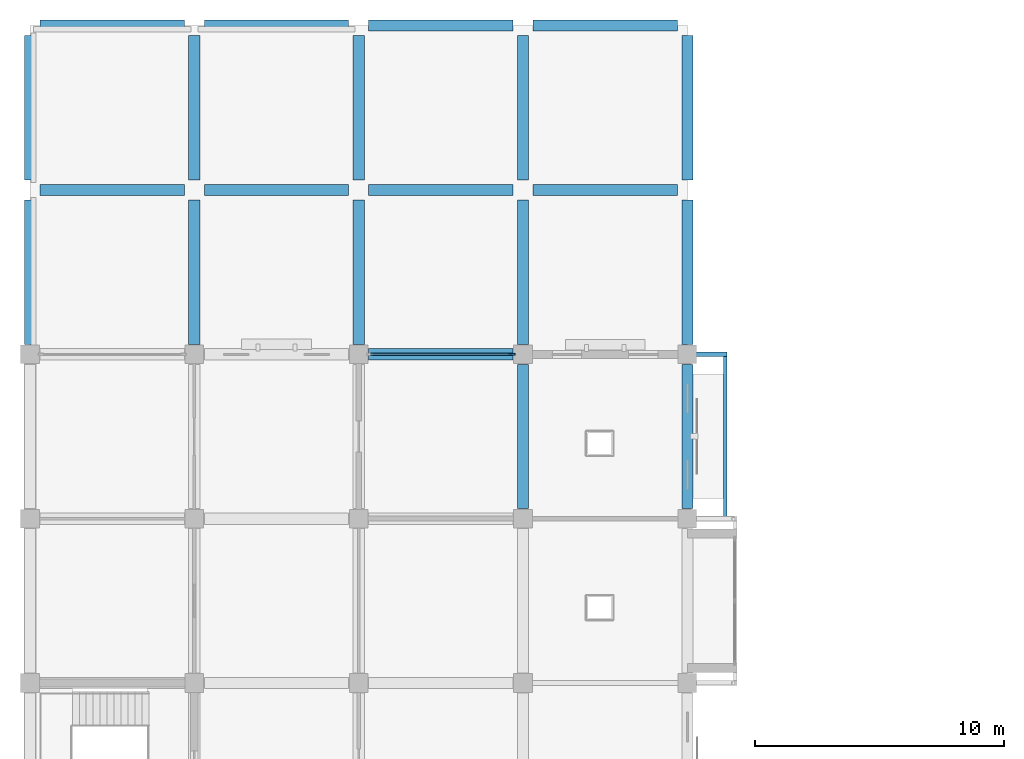
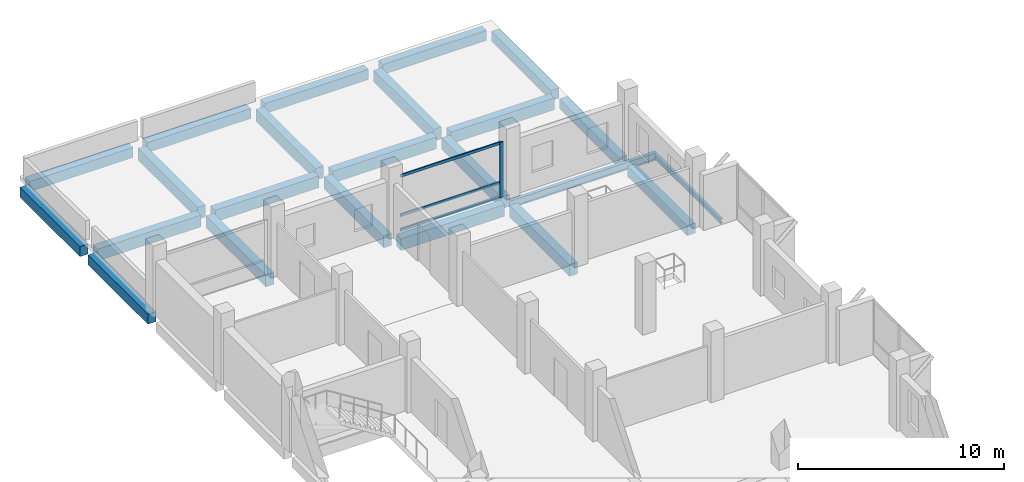
# One storey, part 11 of 23: 23 beams, 4 members, 1 element without a shape of its own.
"""IFC4 building model written with IfcOpenShell, lengths in metres."""

import ifcopenshell
import ifcopenshell.guid

model = None  # the IFC model being written
_history = None  # IfcOwnerHistory: only IFC2X3 demands one
_inside = {}  # id of a spatial element -> (the spatial element, [elements in it])
_under = {}  # id of a project, library or spatial element -> (it, [spatial elements below it])
_declared = {}  # id of a project -> (the project, [libraries it declares])
_typed = {}  # id of a type object -> (the type object, [elements of that type])
_made_of = {}  # id of a material, layer set ... -> (it, [elements and type objects made of it])


def new_model(schema):
    """Start an empty IFC model of exactly this schema.

    Asked for "IFC4X3", IfcOpenShell would pick the latest addendum, in which some entities
    have other attributes; the version numbers below select the first issue.
    IFC2X3 requires an IfcOwnerHistory on every rooted entity: one is made here for all.
    """
    global model, _history
    if schema == "IFC4X3":
        model = ifcopenshell.file(schema_version=(4, 3, 0, 0))
    else:
        model = ifcopenshell.file(schema=schema)
    _inside.clear()
    _under.clear()
    _declared.clear()
    _typed.clear()
    _made_of.clear()
    _history = None
    if model.schema == "IFC2X3":
        org = make("IfcOrganization", Name="unknown")
        user = make(
            "IfcPersonAndOrganization",
            ThePerson=make("IfcPerson", FamilyName="unknown"),
            TheOrganization=org,
        )
        app = make(
            "IfcApplication",
            ApplicationDeveloper=org,
            Version="unknown",
            ApplicationFullName="unknown",
            ApplicationIdentifier="unknown",
        )
        _history = make(
            "IfcOwnerHistory",
            OwningUser=user,
            OwningApplication=app,
            ChangeAction="ADDED",
            CreationDate=0,
        )
    return model


def make(cls, **values):
    """One entity of the class cls with the attributes given. An attribute that is None is left unset."""
    return model.create_entity(
        cls, **{name: value for name, value in values.items() if value is not None}
    )


def rooted(cls, **values):
    """An entity with a GlobalId (a new one), such as an element, a storey or a relation."""
    return make(cls, GlobalId=ifcopenshell.guid.new(), OwnerHistory=_history, **values)


def si_unit(unit_type, name, prefix=None):
    """IfcSIUnit, for example si_unit("LENGTHUNIT", "METRE", prefix="MILLI")."""
    return make("IfcSIUnit", UnitType=unit_type, Prefix=prefix, Name=name)


def assignment(units):
    """IfcUnitAssignment: the units of a project."""
    return None if units is None else make("IfcUnitAssignment", Units=units)


def point(xyz):
    """IfcCartesianPoint."""
    return None if xyz is None else make("IfcCartesianPoint", Coordinates=xyz)


def direction(xyz):
    """IfcDirection."""
    return None if xyz is None else make("IfcDirection", DirectionRatios=xyz)


def frame(location, z_axis=None, x_axis=None):
    """IfcAxis2Placement3D, a coordinate frame: its origin and axes. An axis left out is left unset."""
    return make(
        "IfcAxis2Placement3D",
        Location=point(location),
        Axis=direction(z_axis),
        RefDirection=direction(x_axis),
    )


def frame_2d(location, x_axis=None):
    """IfcAxis2Placement2D, a coordinate frame in the plane: its origin and x axis."""
    return make(
        "IfcAxis2Placement2D", Location=point(location), RefDirection=direction(x_axis)
    )


def origin():
    """The frame at (0, 0, 0) with its axes left unset."""
    return frame((0.0, 0.0, 0.0))


def origin_2d():
    """The frame at (0, 0) in the plane with its x axis left unset."""
    return frame_2d((0.0, 0.0))


def place(relative_to, where):
    """IfcLocalPlacement: puts the frame where relative to a parent placement (None: the world)."""
    return make(
        "IfcLocalPlacement", PlacementRelTo=relative_to, RelativePlacement=where
    )


def context(
    kind, dimensions, precision=None, world=None, true_north=None, identifier=None
):
    """IfcGeometricRepresentationContext, for example the 3D "Model" context."""
    return make(
        "IfcGeometricRepresentationContext",
        ContextIdentifier=identifier,
        ContextType=kind,
        CoordinateSpaceDimension=dimensions,
        Precision=precision,
        WorldCoordinateSystem=world,
        TrueNorth=true_north,
    )


def subcontext(parent, identifier, kind, view, scale=None):
    """IfcGeometricRepresentationSubContext, for example "Body" below "Model"."""
    return make(
        "IfcGeometricRepresentationSubContext",
        ContextIdentifier=identifier,
        ContextType=kind,
        ParentContext=parent,
        TargetScale=scale,
        TargetView=view,
    )


def project(units=None, contexts=None):
    """IfcProject with its units and contexts."""
    return rooted(
        "IfcProject",
        Name="project",
        RepresentationContexts=contexts,
        UnitsInContext=assignment(units),
    )


def spatial(cls, under=None, at=None, **own):
    """A site, building, storey or space (cls), placed at a placement, below another one or the project."""
    s = rooted(cls, ObjectPlacement=at, **own)
    if under is not None:
        _under.setdefault(under.id(), (under, []))[1].append(s)
    return s


def profile(cls, at=None, kind="AREA", **sizes):
    """A parametric profile (cls). Its sizes go by their IFC names, for example OverallWidth=200.0."""
    return make(cls, ProfileType=kind, Position=at, **sizes)


def rectangle(**sizes):
    """IfcRectangleProfileDef."""
    return profile("IfcRectangleProfileDef", **sizes)


def i_section(**sizes):
    """IfcIShapeProfileDef."""
    return profile("IfcIShapeProfileDef", **sizes)


def extrude(swept, where, along, depth):
    """IfcExtrudedAreaSolid: the profile swept, set in the frame where, extruded along a direction by depth."""
    return make(
        "IfcExtrudedAreaSolid",
        SweptArea=swept,
        Position=where,
        ExtrudedDirection=direction(along),
        Depth=depth,
    )


def shape(context_of_items, identifier, shape_type, items):
    """IfcShapeRepresentation: the items that make up one representation, for example the "Body"."""
    return make(
        "IfcShapeRepresentation",
        ContextOfItems=context_of_items,
        RepresentationIdentifier=identifier,
        RepresentationType=shape_type,
        Items=items,
    )


def material(Name=None, Category=None):
    """IfcMaterial."""
    return make("IfcMaterial", Name=Name, Category=Category)


def material_profile(
    of_material, cross_section, Name=None, Category=None, Priority=None
):
    """IfcMaterialProfile: a cross section and its material."""
    return make(
        "IfcMaterialProfile",
        Name=Name,
        Material=of_material,
        Profile=cross_section,
        Priority=Priority,
        Category=Category,
    )


def profile_set(profiles, Name=None, composite=None):
    """IfcMaterialProfileSet."""
    return make(
        "IfcMaterialProfileSet",
        Name=Name,
        MaterialProfiles=profiles,
        CompositeProfile=composite,
    )


def made_of(thing, what):
    """Note that an element or type object is made of a material, layer set ...; save() writes the relation."""
    if what is not None:
        _made_of.setdefault(what.id(), (what, []))[1].append(thing)
    return thing


def type_object(cls, material=None, **own):
    """A type object (cls), such as IfcWallType, which elements share."""
    return made_of(rooted(cls, **own), material)


def element(
    cls,
    number,
    at=None,
    inside=None,
    cuts=None,
    type_object=None,
    material=None,
    context=None,
    identifier="Body",
    shape_type=None,
    held_by="IfcProductDefinitionShape",
    body=None,
    shapes=None,
    **own,
):
    """One element of the class cls, such as IfcWall. Its Tag is "e" and its number.

    at: its placement. inside: the storey or other place that contains it. cuts: it is an
    opening in that element (IfcRelVoidsElement). A single representation is given by context,
    identifier, shape_type and body (its items); several are given by shapes. held_by: the class
    of the entity that holds the representations. save() writes the other relations.
    """
    e = rooted(cls, Tag="e%d" % number, ObjectPlacement=at, **own)
    if body is not None:
        shapes = [shape(context, identifier, shape_type, body)]
    if shapes is not None:
        e.Representation = make(held_by, Representations=shapes)
    if inside is not None:
        _inside.setdefault(inside.id(), (inside, []))[1].append(e)
    if cuts is not None:
        rooted(
            "IfcRelVoidsElement", RelatingBuildingElement=cuts, RelatedOpeningElement=e
        )
    if type_object is not None:
        _typed.setdefault(type_object.id(), (type_object, []))[1].append(e)
    return made_of(e, material)


def aggregate(whole, parts):
    """IfcRelAggregates: a whole, such as a stair, and the parts it consists of."""
    return rooted("IfcRelAggregates", RelatingObject=whole, RelatedObjects=parts)


def save(model, path):
    """Write the relations noted so far, then the file.

    IfcRelAggregates (storeys below a building ...), IfcRelContainedInSpatialStructure (elements
    in a storey), IfcRelDefinesByType, IfcRelAssociatesMaterial and IfcRelDeclares: one each for
    every whole, place, type object, material and project.
    """
    for whole, parts in _under.values():
        aggregate(whole, parts)
    for where, things in _inside.values():
        rooted(
            "IfcRelContainedInSpatialStructure",
            RelatedElements=things,
            RelatingStructure=where,
        )
    for kind, things in _typed.values():
        rooted("IfcRelDefinesByType", RelatedObjects=things, RelatingType=kind)
    for what, things in _made_of.values():
        rooted("IfcRelAssociatesMaterial", RelatedObjects=things, RelatingMaterial=what)
    for by, libraries in _declared.values():
        rooted("IfcRelDeclares", RelatingContext=by, RelatedDefinitions=libraries)
    model.write(path)


model = new_model("IFC4")

# Units and contexts
model_context = context("Model", 3, precision=1e-05, world=origin(), true_north=direction((0.0, 1.0)))
body_context = subcontext(model_context, "Body", "Model", "MODEL_VIEW")
ifc_project = project(units=[si_unit("LENGTHUNIT", "METRE"), si_unit("AREAUNIT", "SQUARE_METRE"), si_unit("VOLUMEUNIT", "CUBIC_METRE"), si_unit("PLANEANGLEUNIT", "RADIAN"), si_unit("MASSUNIT", "GRAM", prefix="KILO")], contexts=[model_context])

# Site, building, storey
site_placement = place(None, origin())
site = spatial("IfcSite", under=ifc_project, at=site_placement, CompositionType="ELEMENT")
building_placement = place(site_placement, origin())
building = spatial("IfcBuilding", under=site, at=building_placement, Name="Rusizi Kubbe Research Institute", CompositionType="ELEMENT")
storey_placement = place(building_placement, frame((0.0, 0.0, 18.60009765625)))
storey = spatial("IfcBuildingStorey", under=building, at=storey_placement, Name="L04", CompositionType="ELEMENT", Elevation=18.60009765625)

# Beams
ifc_material_1 = material(Name="Steel S355", Category="steel")
ifc_material_profile_1 = material_profile(ifc_material_1, i_section(OverallWidth=0.14990234375, OverallDepth=0.300048828125, WebThickness=0.007080078125, FlangeThickness=0.0107421875, at=origin_2d()), Name="IPE 300")
ifc_profile_set_1 = profile_set([ifc_material_profile_1], Name="Steel S355")
beam_type_1 = type_object("IfcBeamType", Name="BM-IPE300", PredefinedType="BEAM", material=ifc_profile_set_1)
beam_1_placement = place(storey_placement, frame((27.925048828125, 79.294921875, -0.489990234375), z_axis=(0.0, 1.0, 0.0), x_axis=(-1.0, 0.0, 0.0)))
element("IfcBeam", 1, at=beam_1_placement, inside=storey, type_object=beam_type_1, Name="Cumba Edge Tie Beam L04-3", PredefinedType="BEAM", context=body_context, shape_type="SweptSolid", body=[
    extrude(i_section(OverallWidth=0.14990234375, OverallDepth=0.300048828125, WebThickness=0.007080078125, FlangeThickness=0.0107421875, at=origin_2d()), origin(), (0.0, 0.0, 1.0), 6.41015625),
])
ifc_material_2 = material(Name="Steel S355", Category="steel")
ifc_material_profile_2 = material_profile(ifc_material_2, i_section(OverallWidth=0.18994140625, OverallDepth=0.449951171875, WebThickness=0.009521484375, FlangeThickness=0.0146484375, at=origin_2d()), Name="IPE 450")
ifc_profile_set_2 = profile_set([ifc_material_profile_2], Name="Steel S355")
beam_type_2 = type_object("IfcBeamType", Name="BM-IPE450", PredefinedType="BEAM", material=ifc_profile_set_2)
beam_2_placement = place(storey_placement, frame((19.800048828125, 85.800048828125, -0.565185546875), z_axis=(1.0, 0.0, 0.0), x_axis=(0.0, 1.0, 0.0)))
element("IfcBeam", 2, at=beam_2_placement, inside=storey, type_object=beam_type_2, Name="Cumba Back-Spanned Cantilever Beam L04-3N", PredefinedType="BEAM", context=body_context, shape_type="SweptSolid", body=[
    extrude(i_section(OverallWidth=0.18994140625, OverallDepth=0.449951171875, WebThickness=0.009521484375, FlangeThickness=0.0146484375, at=origin_2d()), origin(), (0.0, 0.0, 1.0), 8.199951171875),
])
ifc_material_3 = material(Name="Concrete C40/50", Category="concrete")
ifc_material_profile_3 = material_profile(ifc_material_3, rectangle(XDim=0.449951171875, YDim=0.60009765625, at=origin_2d()), Name="RC450x600")
ifc_profile_set_3 = profile_set([ifc_material_profile_3], Name="Concrete C40/50")
beam_type_3 = type_object("IfcBeamType", Name="BM-RC450x600", PredefinedType="SPANDREL", material=ifc_profile_set_3)
for number, where, z_axis, x_axis, name in (
    (3, (0.39990234375, 99.0, -0.64013671875), (1.0, 0.0, 0.0), (0.0, 1.0, 0.0), "Grid Beam H L04 (0,15)"),
    (4, (7.0, 99.0, -0.64013671875), (1.0, 0.0, 0.0), (0.0, 1.0, 0.0), "Grid Beam H L04 (1,15)"),
):
    element("IfcBeam", number, at=place(storey_placement, frame(where, z_axis=z_axis, x_axis=x_axis)), inside=storey, type_object=beam_type_3, Name=name, PredefinedType="SPANDREL", context=body_context, shape_type="SweptSolid", body=[
        extrude(rectangle(XDim=0.449951171875, YDim=0.60009765625, at=origin_2d()), origin(), (0.0, 0.0, 1.0), 5.800048828125),
    ])
beam_3_placement = place(storey_placement, frame((13.60009765625, 99.0, -0.64013671875), z_axis=(1.0, 0.0, 0.0), x_axis=(0.0, 1.0, 0.0)))
element("IfcBeam", 5, at=beam_3_placement, inside=storey, type_object=beam_type_3, Name="Grid Beam H L04 (2,15)", PredefinedType="SPANDREL", context=body_context, shape_type="SweptSolid", body=[
    extrude(rectangle(XDim=0.449951171875, YDim=0.60009765625, at=origin_2d()), origin(), (0.0, 0.0, 1.0), 5.7998046875),
])
for number, where, z_axis, x_axis, name in (
    (6, (20.199951171875, 99.0, -0.64013671875), (1.0, 0.0, 0.0), (0.0, 1.0, 0.0), "Grid Beam H L04 (3,15)"),
    (7, (0.0, 86.199951171875, -0.64013671875), (0.0, 1.0, 0.0), (-1.0, 0.0, 0.0), "Grid Beam V L04 (0,13)"),
    (8, (0.0, 92.800048828125, -0.64013671875), (0.0, 1.0, 0.0), (-1.0, 0.0, 0.0), "Grid Beam V L04 (0,14)"),
):
    element("IfcBeam", number, at=place(storey_placement, frame(where, z_axis=z_axis, x_axis=x_axis)), inside=storey, type_object=beam_type_3, Name=name, PredefinedType="SPANDREL", context=body_context, shape_type="SweptSolid", body=[
        extrude(rectangle(XDim=0.449951171875, YDim=0.60009765625, at=origin_2d()), origin(), (0.0, 0.0, 1.0), 5.800048828125),
    ])
beam_4_placement = place(storey_placement, frame((26.39990234375, 79.60009765625, -0.64013671875), z_axis=(0.0, 1.0, 0.0), x_axis=(-1.0, 0.0, 0.0)))
element("IfcBeam", 9, at=beam_4_placement, inside=storey, type_object=beam_type_3, Name="Grid Beam V L04 (4,12)", PredefinedType="SPANDREL", context=body_context, shape_type="SweptSolid", body=[
    extrude(rectangle(XDim=0.449951171875, YDim=0.60009765625, at=origin_2d()), origin(), (0.0, 0.0, 1.0), 5.7998046875),
])
for number, where, z_axis, x_axis, name in (
    (10, (26.39990234375, 86.199951171875, -0.64013671875), (0.0, 1.0, 0.0), (-1.0, 0.0, 0.0), "Grid Beam V L04 (4,13)"),
    (11, (26.39990234375, 92.800048828125, -0.64013671875), (0.0, 1.0, 0.0), (-1.0, 0.0, 0.0), "Grid Beam V L04 (4,14)"),
):
    element("IfcBeam", number, at=place(storey_placement, frame(where, z_axis=z_axis, x_axis=x_axis)), inside=storey, type_object=beam_type_3, Name=name, PredefinedType="SPANDREL", context=body_context, shape_type="SweptSolid", body=[
        extrude(rectangle(XDim=0.449951171875, YDim=0.60009765625, at=origin_2d()), origin(), (0.0, 0.0, 1.0), 5.800048828125),
    ])
ifc_material_4 = material(Name="Concrete C40/50", Category="concrete")
ifc_material_profile_4 = material_profile(ifc_material_4, rectangle(XDim=0.449951171875, YDim=0.699951171875, at=origin_2d()), Name="RC450x700B")
ifc_profile_set_4 = profile_set([ifc_material_profile_4], Name="Concrete C40/50")
beam_type_4 = type_object("IfcBeamType", Name="BM-RC450x700", PredefinedType="BEAM", material=ifc_profile_set_4)
for number, where, z_axis, x_axis, name in (
    (12, (0.39990234375, 92.39990234375, -0.690185546875), (1.0, 0.0, 0.0), (0.0, 1.0, 0.0), "Grid Beam H L04 (0,14)"),
    (13, (7.0, 92.39990234375, -0.690185546875), (1.0, 0.0, 0.0), (0.0, 1.0, 0.0), "Grid Beam H L04 (1,14)"),
):
    element("IfcBeam", number, at=place(storey_placement, frame(where, z_axis=z_axis, x_axis=x_axis)), inside=storey, type_object=beam_type_4, Name=name, PredefinedType="BEAM", context=body_context, shape_type="SweptSolid", body=[
        extrude(rectangle(XDim=0.449951171875, YDim=0.699951171875, at=origin_2d()), origin(), (0.0, 0.0, 1.0), 5.800048828125),
    ])
for number, where, z_axis, x_axis, name in (
    (14, (13.60009765625, 85.800048828125, -0.690185546875), (1.0, 0.0, 0.0), (0.0, 1.0, 0.0), "Grid Beam H L04 (2,13)"),
    (15, (13.60009765625, 92.39990234375, -0.690185546875), (1.0, 0.0, 0.0), (0.0, 1.0, 0.0), "Grid Beam H L04 (2,14)"),
):
    element("IfcBeam", number, at=place(storey_placement, frame(where, z_axis=z_axis, x_axis=x_axis)), inside=storey, type_object=beam_type_4, Name=name, PredefinedType="BEAM", context=body_context, shape_type="SweptSolid", body=[
        extrude(rectangle(XDim=0.449951171875, YDim=0.699951171875, at=origin_2d()), origin(), (0.0, 0.0, 1.0), 5.7998046875),
    ])
for number, where, z_axis, x_axis, name in (
    (16, (20.199951171875, 92.39990234375, -0.690185546875), (1.0, 0.0, 0.0), (0.0, 1.0, 0.0), "Grid Beam H L04 (3,14)"),
    (17, (6.60009765625, 86.199951171875, -0.690185546875), (0.0, 1.0, 0.0), (-1.0, 0.0, 0.0), "Grid Beam V L04 (1,13)"),
    (18, (6.60009765625, 92.800048828125, -0.690185546875), (0.0, 1.0, 0.0), (-1.0, 0.0, 0.0), "Grid Beam V L04 (1,14)"),
    (19, (13.199951171875, 86.199951171875, -0.690185546875), (0.0, 1.0, 0.0), (-1.0, 0.0, 0.0), "Grid Beam V L04 (2,13)"),
    (20, (13.199951171875, 92.800048828125, -0.690185546875), (0.0, 1.0, 0.0), (-1.0, 0.0, 0.0), "Grid Beam V L04 (2,14)"),
):
    element("IfcBeam", number, at=place(storey_placement, frame(where, z_axis=z_axis, x_axis=x_axis)), inside=storey, type_object=beam_type_4, Name=name, PredefinedType="BEAM", context=body_context, shape_type="SweptSolid", body=[
        extrude(rectangle(XDim=0.449951171875, YDim=0.699951171875, at=origin_2d()), origin(), (0.0, 0.0, 1.0), 5.800048828125),
    ])
beam_5_placement = place(storey_placement, frame((19.800048828125, 79.60009765625, -0.690185546875), z_axis=(0.0, 1.0, 0.0), x_axis=(-1.0, 0.0, 0.0)))
element("IfcBeam", 21, at=beam_5_placement, inside=storey, type_object=beam_type_4, Name="Grid Beam V L04 (3,12)", PredefinedType="BEAM", context=body_context, shape_type="SweptSolid", body=[
    extrude(rectangle(XDim=0.449951171875, YDim=0.699951171875, at=origin_2d()), origin(), (0.0, 0.0, 1.0), 5.7998046875),
])
for number, where, z_axis, x_axis, name in (
    (22, (19.800048828125, 86.199951171875, -0.690185546875), (0.0, 1.0, 0.0), (-1.0, 0.0, 0.0), "Grid Beam V L04 (3,13)"),
    (23, (19.800048828125, 92.800048828125, -0.690185546875), (0.0, 1.0, 0.0), (-1.0, 0.0, 0.0), "Grid Beam V L04 (3,14)"),
):
    element("IfcBeam", number, at=place(storey_placement, frame(where, z_axis=z_axis, x_axis=x_axis)), inside=storey, type_object=beam_type_4, Name=name, PredefinedType="BEAM", context=body_context, shape_type="SweptSolid", body=[
        extrude(rectangle(XDim=0.449951171875, YDim=0.699951171875, at=origin_2d()), origin(), (0.0, 0.0, 1.0), 5.800048828125),
    ])

# Curtain wall, members
ifc_material_5 = material(Name="Thermally Broken Aluminium and Low-E Glazing", Category="aluminium")
curtain_wall_type = type_object("IfcCurtainWallType", Name="CW-07", PredefinedType="NOTDEFINED", material=ifc_material_5)
curtain_wall_placement = place(storey_placement, origin())
curtain_wall = element("IfcCurtainWall", 24, at=curtain_wall_placement, inside=storey, type_object=curtain_wall_type, Name="Unitised Facade Curtain Wall CW-L04-H-02-13", PredefinedType="NOTDEFINED")
ifc_material_6 = material(Name="Aluminium Alloy 6063-T6", Category="aluminium")
ifc_material_profile_5 = material_profile(ifc_material_6, rectangle(XDim=0.074951171875, YDim=0.25, at=origin_2d()), Name="ALU-M 75x250")
ifc_profile_set_5 = profile_set([ifc_material_profile_5], Name="Aluminium Alloy 6063-T6")
member_type_1 = type_object("IfcMemberType", Name="ML-05", PredefinedType="MULLION", material=ifc_profile_set_5)
member_1_placement = place(storey_placement, frame((19.357421875, 85.800048828125, 0.0), z_axis=(0.0, 0.0, 1.0), x_axis=(0.0, 1.0, 0.0)))
member_1 = element("IfcMember", 25, at=member_1_placement, type_object=member_type_1, Name="CW-07 mullion 2", PredefinedType="MULLION", context=body_context, shape_type="SweptSolid", body=[
    extrude(rectangle(XDim=0.074951171875, YDim=0.25, at=origin_2d()), origin(), (0.0, 0.0, 1.0), 3.260009765625),
])
ifc_material_7 = material(Name="Aluminium Alloy 6063-T6", Category="aluminium")
ifc_material_profile_6 = material_profile(ifc_material_7, rectangle(XDim=0.06494140625, YDim=0.159912109375, at=origin_2d()), Name="ALU-T 65x160")
ifc_profile_set_6 = profile_set([ifc_material_profile_6], Name="Aluminium Alloy 6063-T6")
member_type_2 = type_object("IfcMemberType", Name="TR-03", PredefinedType="USERDEFINED", material=ifc_profile_set_6)
member_2_placement = place(storey_placement, frame((13.679931640625, 85.800048828125, 0.032470703125), z_axis=(1.0, 0.0, 0.0), x_axis=(0.0, 1.0, 0.0)))
member_2 = element("IfcMember", 26, at=member_2_placement, type_object=member_type_2, Name="CW-07 transom 1.1", ObjectType="TRANSOM", PredefinedType="USERDEFINED", context=body_context, shape_type="SweptSolid", body=[
    extrude(rectangle(XDim=0.06494140625, YDim=0.159912109375, at=origin_2d()), origin(), (0.0, 0.0, 1.0), 5.64013671875),
])
member_3_placement = place(storey_placement, frame((13.679931640625, 85.800048828125, 0.89990234375), z_axis=(1.0, 0.0, 0.0), x_axis=(0.0, 1.0, 0.0)))
member_3 = element("IfcMember", 27, at=member_3_placement, type_object=member_type_2, Name="CW-07 transom 1.2", ObjectType="TRANSOM", PredefinedType="USERDEFINED", context=body_context, shape_type="SweptSolid", body=[
    extrude(rectangle(XDim=0.06494140625, YDim=0.159912109375, at=origin_2d()), origin(), (0.0, 0.0, 1.0), 5.64013671875),
])
member_4_placement = place(storey_placement, frame((13.679931640625, 85.800048828125, 3.227294921875), z_axis=(1.0, 0.0, 0.0), x_axis=(0.0, 1.0, 0.0)))
member_4 = element("IfcMember", 28, at=member_4_placement, type_object=member_type_2, Name="CW-07 transom 1.3", ObjectType="TRANSOM", PredefinedType="USERDEFINED", context=body_context, shape_type="SweptSolid", body=[
    extrude(rectangle(XDim=0.06494140625, YDim=0.159912109375, at=origin_2d()), origin(), (0.0, 0.0, 1.0), 5.64013671875),
])
aggregate(curtain_wall, [member_1, member_2, member_3, member_4])

save(model, "model.ifc")
